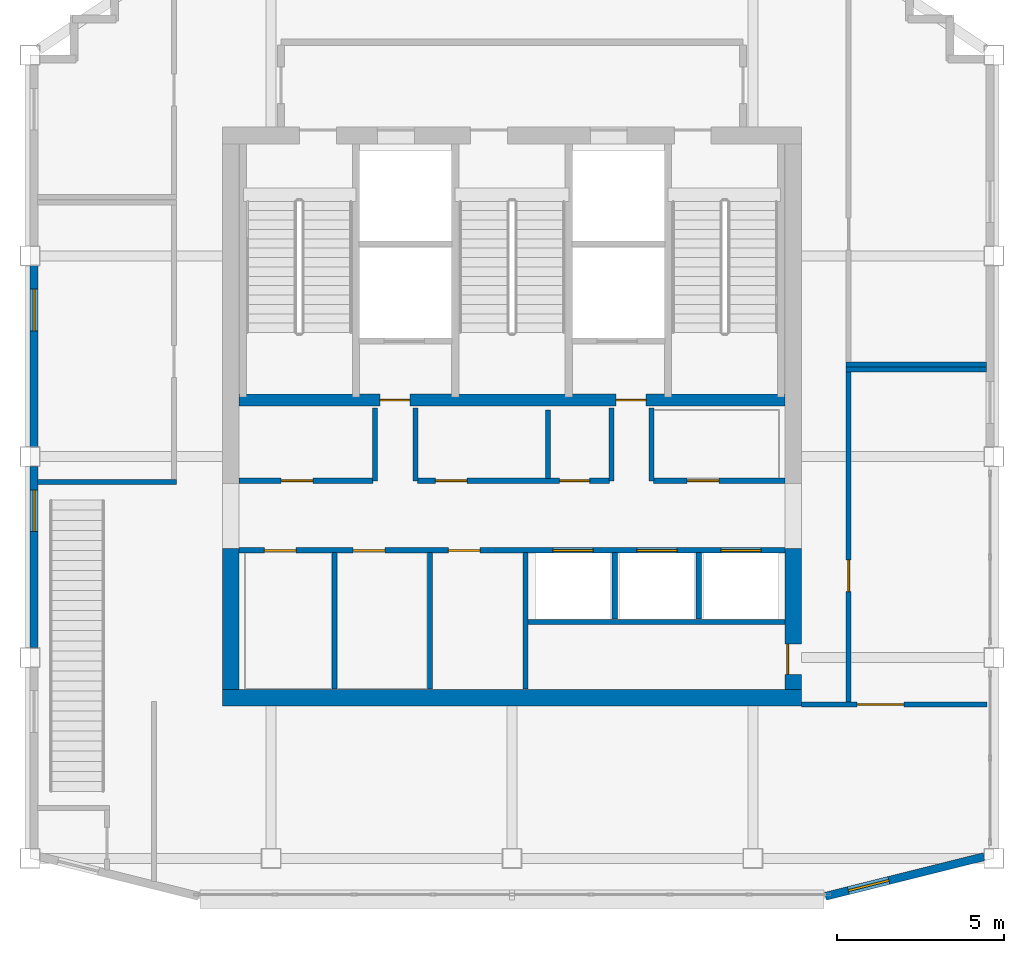
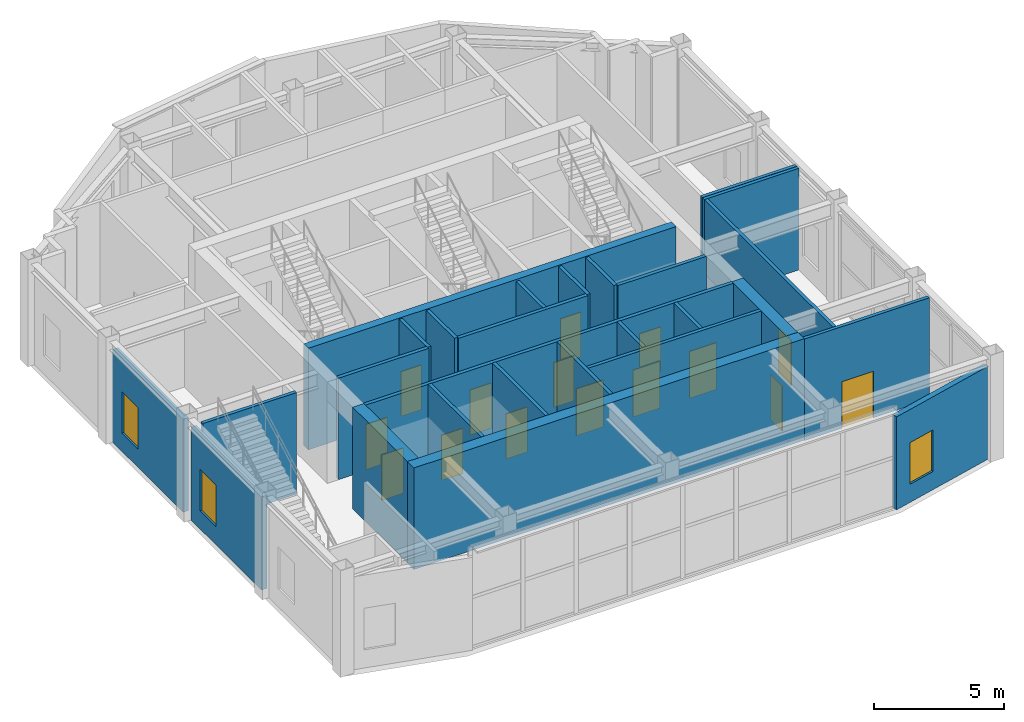
# One storey, part 7 of 11: 27 walls, 15 doors, 3 windows, 18 openings.
"""IFC4 building model written with IfcOpenShell, lengths in metres."""

from ifc_helpers import new_model, si_unit, direction, frame, frame_2d, origin, place, context, subcontext, project, spatial, rectangle, extrude, material, layer, layer_set, type_object, element, fill, save


model = new_model("IFC4")

# Units and contexts
model_context = context("Model", 3, precision=1e-05, world=origin(), true_north=direction((0.0, 1.0)))
body_context = subcontext(model_context, "Body", "Model", "MODEL_VIEW")
ifc_project = project(units=[si_unit("LENGTHUNIT", "METRE"), si_unit("AREAUNIT", "SQUARE_METRE"), si_unit("VOLUMEUNIT", "CUBIC_METRE"), si_unit("PLANEANGLEUNIT", "RADIAN"), si_unit("MASSUNIT", "GRAM", prefix="KILO")], contexts=[model_context])

# Site, building, storey
site_placement = place(None, origin())
site = spatial("IfcSite", under=ifc_project, at=site_placement, CompositionType="ELEMENT")
building_placement = place(site_placement, origin())
building = spatial("IfcBuilding", under=site, at=building_placement, Name="Haolan Belvedere Tower", CompositionType="ELEMENT")
storey_placement = place(building_placement, frame((0.0, 0.0, 318.199951171875)))
storey = spatial("IfcBuildingStorey", under=building, at=storey_placement, Name="L80", CompositionType="ELEMENT", Elevation=318.199951171875)

# Walls
ifc_material_1 = material(Name="Concrete C50/60", Category="concrete")
ifc_layer_1 = layer(ifc_material_1, 0.5, Name="Concrete C50/60")
ifc_layer_set_1 = layer_set([ifc_layer_1], Name="Concrete C50/60")
wall_type_1 = type_object("IfcWallType", Name="WL-CORE-500", PredefinedType="SHEAR", material=ifc_layer_set_1)
wall_1_placement = place(storey_placement, frame((29.75, 26.39990234375, 0.0), z_axis=(0.0, 0.0, 1.0), x_axis=(1.0, 0.0, 0.0)))
element("IfcWall", 1, at=wall_1_placement, inside=storey, type_object=wall_type_1, Name="L80 central core south shear wall", PredefinedType="SHEAR", context=body_context, shape_type="SweptSolid", body=[
    extrude(rectangle(XDim=17.300048828125, YDim=0.5, at=frame_2d((8.64990234375, 0.0))), origin(), (0.0, 0.0, 1.0), 4.760009765625),
])
wall_2_placement = place(storey_placement, frame((30.0, 26.64990234375, 0.0), z_axis=(0.0, 0.0, 1.0), x_axis=(0.0, 1.0, 0.0)))
element("IfcWall", 2, at=wall_2_placement, inside=storey, type_object=wall_type_1, Name="L80 central core shear wall WS", PredefinedType="SHEAR", context=body_context, shape_type="SweptSolid", body=[
    extrude(rectangle(XDim=4.2001953125, YDim=0.5, at=frame_2d((2.10009765625, 0.0))), origin(), (0.0, 0.0, 1.0), 4.760009765625),
])

# Wall, opening, door
wall_3_placement = place(storey_placement, frame((46.800048828125, 26.64990234375, 0.0), z_axis=(0.0, 0.0, 1.0), x_axis=(0.0, 1.0, 0.0)))
wall_3 = element("IfcWall", 3, at=wall_3_placement, inside=storey, type_object=wall_type_1, Name="L80 central core shear wall ES", PredefinedType="SHEAR", context=body_context, shape_type="SweptSolid", body=[
    extrude(rectangle(XDim=4.2001953125, YDim=0.5, at=frame_2d((2.10009765625, 0.0))), origin(), (0.0, 0.0, 1.0), 4.760009765625),
])
opening_1_placement = place(wall_3_placement, frame((1.349853515625, 0.0, 0.0), z_axis=(0.0, 0.0, 1.0), x_axis=(-1.0, 0.0, 0.0)))
opening_1 = element("IfcOpeningElement", 4, at=opening_1_placement, cuts=wall_3, Name="Opening FD-05", PredefinedType="OPENING", context=body_context, shape_type="SweptSolid", body=[
    extrude(rectangle(XDim=0.89990234375, YDim=2.10009765625, at=frame_2d((0.449951171875, 1.050048828125))), frame((0.0, 0.260009765625, 0.0), z_axis=(0.0, -1.0, 0.0), x_axis=(1.0, 0.0, 0.0)), (0.0, 0.0, 1.0), 0.52001953125),
])
ifc_material_2 = material(Name="Galvanised fire-rated steel", Category="steel")
door_type_1 = type_object("IfcDoorType", Name="DR-FD60-900", OperationType="NOTDEFINED", PredefinedType="DOOR", material=ifc_material_2)
door_1_placement = place(opening_1_placement, origin())
door_1 = element("IfcDoor", 5, at=door_1_placement, inside=storey, type_object=door_type_1, Name="L80 door CD-L80-SCVE", OperationType="SINGLE_SWING_RIGHT", OverallHeight=2.10009765625, OverallWidth=0.89990234375, PredefinedType="DOOR", context=body_context, shape_type="SweptSolid", body=[
    extrude(rectangle(XDim=0.89990234375, YDim=2.10009765625, at=frame_2d((0.449951171875, 1.050048828125))), frame((0.0, -0.134765625, 0.0), z_axis=(0.0, -1.0, 0.0), x_axis=(1.0, 0.0, 0.0)), (0.0, 0.0, 1.0), 0.050048828125),
])
fill(opening_1, door_1)

# Wall, opening, window
ifc_material_3 = material(Name="Precast concrete C40/50", Category="concrete")
ifc_layer_2 = layer(ifc_material_3, 0.239990234375, Name="Precast concrete C40/50")
ifc_layer_set_2 = layer_set([ifc_layer_2], Name="Precast concrete C40/50")
wall_type_2 = type_object("IfcWallType", Name="WL-EXT-240", PredefinedType="SOLIDWALL", material=ifc_layer_set_2)
wall_4_placement = place(storey_placement, frame((47.766845703125, 20.46533203125, 0.0), z_axis=(0.0, 0.0, 1.0), x_axis=(0.970142500145, 0.242535625036, 0.0)))
wall_4 = element("IfcWall", 6, at=wall_4_placement, inside=storey, type_object=wall_type_2, Name="L80 pale-metal exterior spandrel wall 2.1", PredefinedType="SOLIDWALL", context=body_context, shape_type="SweptSolid", body=[
    extrude(rectangle(XDim=4.88720703125, YDim=0.239990234375, at=frame_2d((2.443603515625, 0.0))), origin(), (0.0, 0.0, 1.0), 4.35498046875),
])
opening_2_placement = place(wall_4_placement, frame((0.699951171875, 0.0, 0.85009765625)))
opening_2 = element("IfcOpeningElement", 7, at=opening_2_placement, cuts=wall_4, Name="Opening W-04", PredefinedType="OPENING", context=body_context, shape_type="SweptSolid", body=[
    extrude(rectangle(XDim=1.25, YDim=1.949951171875, at=frame_2d((0.625, 0.97509765625))), frame((0.0, 0.1298828125, 0.0), z_axis=(0.0, -1.0, 0.0), x_axis=(1.0, 0.0, 0.0)), (0.0, 0.0, 1.0), 0.260009765625),
])
ifc_material_4 = material(Name="Anodised aluminium 6063-T6 and Low-E glass", Category="aluminium")
window_type = type_object("IfcWindowType", Name="WN-DECO-Z4", PartitioningType="SINGLE_PANEL", PredefinedType="WINDOW", material=ifc_material_4)
window_1_placement = place(opening_2_placement, origin())
window_1 = element("IfcWindow", 8, at=window_1_placement, inside=storey, type_object=window_type, Name="L80 Art Deco chevron window 1", OverallHeight=1.949951171875, OverallWidth=1.25, PartitioningType="SINGLE_PANEL", PredefinedType="WINDOW", context=body_context, shape_type="SweptSolid", body=[
    extrude(rectangle(XDim=1.25, YDim=1.949951171875, at=frame_2d((0.625, 0.97509765625))), frame((0.0, 0.030029296875, 0.0), z_axis=(0.0, -1.0, 0.0), x_axis=(1.0, 0.0, 0.0)), (0.0, 0.0, 1.0), 0.06005859375),
])
fill(opening_2, window_1)

wall_5_placement = place(storey_placement, frame((24.1201171875, 39.30810546875, 0.0), z_axis=(0.0, 0.0, 1.0), x_axis=(0.0, -1.0, 0.0)))
wall_5 = element("IfcWall", 9, at=wall_5_placement, inside=storey, type_object=wall_type_2, Name="L80 pale-metal exterior spandrel wall 16.2", PredefinedType="SOLIDWALL", context=body_context, shape_type="SweptSolid", body=[
    extrude(rectangle(XDim=5.416015625, YDim=0.239990234375, at=frame_2d((2.7080078125, 0.0))), origin(), (0.0, 0.0, 1.0), 4.35498046875),
])
opening_3_placement = place(wall_5_placement, frame((0.699951171875, 0.0, 0.85009765625)))
opening_3 = element("IfcOpeningElement", 10, at=opening_3_placement, cuts=wall_5, Name="Opening W-04", PredefinedType="OPENING", context=body_context, shape_type="SweptSolid", body=[
    extrude(rectangle(XDim=1.25, YDim=1.949951171875, at=frame_2d((0.625, 0.97509765625))), frame((0.0, 0.1298828125, 0.0), z_axis=(0.0, -1.0, 0.0), x_axis=(1.0, 0.0, 0.0)), (0.0, 0.0, 1.0), 0.260009765625),
])
window_2_placement = place(opening_3_placement, origin())
window_2 = element("IfcWindow", 11, at=window_2_placement, inside=storey, type_object=window_type, Name="L80 Art Deco chevron window 1", OverallHeight=1.949951171875, OverallWidth=1.25, PartitioningType="SINGLE_PANEL", PredefinedType="WINDOW", context=body_context, shape_type="SweptSolid", body=[
    extrude(rectangle(XDim=1.25, YDim=1.949951171875, at=frame_2d((0.625, 0.97509765625))), frame((0.0, 0.030029296875, 0.0), z_axis=(0.0, -1.0, 0.0), x_axis=(1.0, 0.0, 0.0)), (0.0, 0.0, 1.0), 0.06005859375),
])
fill(opening_3, window_2)

wall_6_placement = place(storey_placement, frame((24.1201171875, 33.30810546875, 0.0), z_axis=(0.0, 0.0, 1.0), x_axis=(0.0, -1.0, 0.0)))
wall_6 = element("IfcWall", 12, at=wall_6_placement, inside=storey, type_object=wall_type_2, Name="L80 pale-metal exterior spandrel wall 16.3", PredefinedType="SOLIDWALL", context=body_context, shape_type="SweptSolid", body=[
    extrude(rectangle(XDim=5.416015625, YDim=0.239990234375, at=frame_2d((2.7080078125, 0.0))), origin(), (0.0, 0.0, 1.0), 4.35498046875),
])
opening_4_placement = place(wall_6_placement, frame((0.699951171875, 0.0, 0.85009765625)))
opening_4 = element("IfcOpeningElement", 13, at=opening_4_placement, cuts=wall_6, Name="Opening W-04", PredefinedType="OPENING", context=body_context, shape_type="SweptSolid", body=[
    extrude(rectangle(XDim=1.25, YDim=1.949951171875, at=frame_2d((0.625, 0.97509765625))), frame((0.0, 0.1298828125, 0.0), z_axis=(0.0, -1.0, 0.0), x_axis=(1.0, 0.0, 0.0)), (0.0, 0.0, 1.0), 0.260009765625),
])
window_3_placement = place(opening_4_placement, origin())
window_3 = element("IfcWindow", 14, at=window_3_placement, inside=storey, type_object=window_type, Name="L80 Art Deco chevron window 1", OverallHeight=1.949951171875, OverallWidth=1.25, PartitioningType="SINGLE_PANEL", PredefinedType="WINDOW", context=body_context, shape_type="SweptSolid", body=[
    extrude(rectangle(XDim=1.25, YDim=1.949951171875, at=frame_2d((0.625, 0.97509765625))), frame((0.0, 0.030029296875, 0.0), z_axis=(0.0, -1.0, 0.0), x_axis=(1.0, 0.0, 0.0)), (0.0, 0.0, 1.0), 0.06005859375),
])
fill(opening_4, window_3)

# Walls
ifc_material_5 = material(Name="Double gypsum acoustic stud partition", Category="masonry")
ifc_layer_3 = layer(ifc_material_5, 0.14990234375, Name="Double gypsum acoustic stud partition")
ifc_layer_set_3 = layer_set([ifc_layer_3], Name="Double gypsum acoustic stud partition")
wall_type_3 = type_object("IfcWallType", Name="WL-PART-150", PredefinedType="PARTITIONING", material=ifc_layer_set_3)
for number, where, z_axis, x_axis, name in (
    (15, (33.10009765625, 26.659912109375, 0.0), (0.0, 0.0, 1.0), (0.0, 1.0, 0.0), "L80 interior partition IW-L80-DIV-REUSE-PM1"),
    (16, (35.949951171875, 26.659912109375, 0.0), (0.0, 0.0, 1.0), (0.0, 1.0, 0.0), "L80 interior partition IW-L80-DIV-REUSE-PM2"),
):
    element("IfcWall", number, at=place(storey_placement, frame(where, z_axis=z_axis, x_axis=x_axis)), inside=storey, type_object=wall_type_3, Name=name, PredefinedType="PARTITIONING", context=body_context, shape_type="SweptSolid", body=[
        extrude(rectangle(XDim=4.0751953125, YDim=0.14990234375, at=frame_2d((2.03759765625, 0.0))), origin(), (0.0, 0.0, 1.0), 4.760009765625),
    ])
wall_7_placement = place(storey_placement, frame((38.860107421875, 28.659912109375, 0.0), z_axis=(0.0, 0.0, 1.0), x_axis=(1.0, 0.0, 0.0)))
element("IfcWall", 17, at=wall_7_placement, inside=storey, type_object=wall_type_3, Name="L80 interior partition IW-L80-SSTRIP-E", PredefinedType="PARTITIONING", context=body_context, shape_type="SweptSolid", body=[
    extrude(rectangle(XDim=7.68994140625, YDim=0.14990234375, at=frame_2d((3.844970703125, 0.0))), origin(), (0.0, 0.0, 1.0), 4.760009765625),
])

# Wall, opening, door
wall_8_placement = place(storey_placement, frame((47.052001953125, 26.199951171875, 0.0), z_axis=(0.0, 0.0, 1.0), x_axis=(1.0, 0.0, 0.0)))
wall_8 = element("IfcWall", 18, at=wall_8_placement, inside=storey, type_object=wall_type_3, Name="L80 interior partition IW-L80-OBSG-N", PredefinedType="PARTITIONING", context=body_context, shape_type="SweptSolid", body=[
    extrude(rectangle(XDim=5.535888671875, YDim=0.14990234375, at=frame_2d((2.76806640625, 0.0))), origin(), (0.0, 0.0, 1.0), 4.760009765625),
])
opening_5_placement = place(wall_8_placement, frame((3.05908203125, 0.0, 0.0), z_axis=(0.0, 0.0, 1.0), x_axis=(-1.0, 0.0, 0.0)))
opening_5 = element("IfcOpeningElement", 19, at=opening_5_placement, cuts=wall_8, Name="Opening ID-07", PredefinedType="OPENING", context=body_context, shape_type="SweptSolid", body=[
    extrude(rectangle(XDim=1.39990234375, YDim=2.179931640625, at=frame_2d((0.699951171875, 1.08984375))), frame((0.0, 0.0849609375, 0.0), z_axis=(0.0, -1.0, 0.0), x_axis=(1.0, 0.0, 0.0)), (0.0, 0.0, 1.0), 0.169921875),
])
ifc_material_6 = material(Name="Anodised champagne aluminium and acoustic glass", Category="aluminium")
door_type_2 = type_object("IfcDoorType", Name="DR-DBL-1400", OperationType="DOUBLE_DOOR_SINGLE_SWING", PredefinedType="DOOR", material=ifc_material_6)
door_2_placement = place(opening_5_placement, origin())
door_2 = element("IfcDoor", 20, at=door_2_placement, inside=storey, type_object=door_type_2, Name="L80 door ID-L80-OBSG", OperationType="DOUBLE_DOOR_SINGLE_SWING", OverallHeight=2.179931640625, OverallWidth=1.39990234375, PredefinedType="DOOR", context=body_context, shape_type="SweptSolid", body=[
    extrude(rectangle(XDim=1.39990234375, YDim=2.179931640625, at=frame_2d((0.699951171875, 1.08984375))), frame((0.0, 0.02490234375, 0.0), z_axis=(0.0, -1.0, 0.0), x_axis=(1.0, 0.0, 0.0)), (0.0, 0.0, 1.0), 0.050048828125),
])
fill(opening_5, door_2)

# Walls
wall_9_placement = place(storey_placement, frame((24.22509765625, 32.85009765625, 0.0), z_axis=(0.0, 0.0, 1.0), x_axis=(1.0, 0.0, 0.0)))
element("IfcWall", 21, at=wall_9_placement, inside=storey, type_object=wall_type_3, Name="L80 interior partition IW-L80-EXHB-S", PredefinedType="PARTITIONING", context=body_context, shape_type="SweptSolid", body=[
    extrude(rectangle(XDim=4.15478515625, YDim=0.14990234375, at=frame_2d((2.077392578125, 0.0))), origin(), (0.0, 0.0, 1.0), 4.760009765625),
])
wall_10_placement = place(storey_placement, frame((48.3798828125, 36.199951171875, 0.0), z_axis=(0.0, 0.0, 1.0), x_axis=(1.0, 0.0, 0.0)))
element("IfcWall", 22, at=wall_10_placement, inside=storey, type_object=wall_type_3, Name="L80 interior partition IW-L80-GIFT-N", PredefinedType="PARTITIONING", context=body_context, shape_type="SweptSolid", body=[
    extrude(rectangle(XDim=4.195068359375, YDim=0.14990234375, at=frame_2d((2.09765625, 0.0))), origin(), (0.0, 0.0, 1.0), 4.760009765625),
])

# Wall, opening, door
wall_11_placement = place(storey_placement, frame((48.4599609375, 26.260009765625, 0.0), z_axis=(0.0, 0.0, 1.0), x_axis=(0.0, 1.0, 0.0)))
wall_11 = element("IfcWall", 23, at=wall_11_placement, inside=storey, type_object=wall_type_3, Name="L80 interior partition IW-L80-GIFT-W", PredefinedType="PARTITIONING", context=body_context, shape_type="SweptSolid", body=[
    extrude(rectangle(XDim=9.8798828125, YDim=0.14990234375, at=frame_2d((4.93994140625, 0.0))), origin(), (0.0, 0.0, 1.0), 4.760009765625),
])
opening_6_placement = place(wall_11_placement, frame((3.31005859375, 0.0, 0.0)))
opening_6 = element("IfcOpeningElement", 24, at=opening_6_placement, cuts=wall_11, Name="Opening ID-03", PredefinedType="OPENING", context=body_context, shape_type="SweptSolid", body=[
    extrude(rectangle(XDim=0.949951171875, YDim=2.1201171875, at=frame_2d((0.47509765625, 1.06005859375))), frame((0.0, 0.0849609375, 0.0), z_axis=(0.0, -1.0, 0.0), x_axis=(1.0, 0.0, 0.0)), (0.0, 0.0, 1.0), 0.169921875),
])
ifc_material_7 = material(Name="Painted solid-core timber", Category="wood")
door_type_3 = type_object("IfcDoorType", Name="DR-INT-950", OperationType="NOTDEFINED", PredefinedType="DOOR", material=ifc_material_7)
door_3_placement = place(opening_6_placement, origin())
door_3 = element("IfcDoor", 25, at=door_3_placement, inside=storey, type_object=door_type_3, Name="L80 door ID-L80-GIFT", OperationType="SINGLE_SWING_LEFT", OverallHeight=2.1201171875, OverallWidth=0.949951171875, PredefinedType="DOOR", context=body_context, shape_type="SweptSolid", body=[
    extrude(rectangle(XDim=0.949951171875, YDim=2.1201171875, at=frame_2d((0.47509765625, 1.06005859375))), frame((0.0, 0.02490234375, 0.0), z_axis=(0.0, -1.0, 0.0), x_axis=(1.0, 0.0, 0.0)), (0.0, 0.0, 1.0), 0.050048828125),
])
fill(opening_6, door_3)

# Walls
wall_12_placement = place(storey_placement, frame((48.3798828125, 36.360107421875, 0.0), z_axis=(0.0, 0.0, 1.0), x_axis=(1.0, 0.0, 0.0)))
element("IfcWall", 26, at=wall_12_placement, inside=storey, type_object=wall_type_3, Name="L80 interior partition IW-L80-CAFE-S", PredefinedType="PARTITIONING", context=body_context, shape_type="SweptSolid", body=[
    extrude(rectangle(XDim=4.195068359375, YDim=0.14990234375, at=frame_2d((2.09765625, 0.0))), origin(), (0.0, 0.0, 1.0), 4.760009765625),
])
ifc_material_8 = material(Name="Gypsum fire shaftwall assembly", Category="masonry")
ifc_layer_4 = layer(ifc_material_8, 0.1650390625, Name="Gypsum fire shaftwall assembly")
ifc_layer_set_4 = layer_set([ifc_layer_4], Name="Gypsum fire shaftwall assembly")
wall_type_4 = type_object("IfcWallType", Name="WL-SHAFT-160", PredefinedType="SOLIDWALL", material=ifc_layer_set_4)
for number, where, z_axis, x_axis, name in (
    (27, (34.31005859375, 32.8798828125, 0.0), (0.0, 0.0, 1.0), (0.0, 1.0, 0.0), "L80 interior partition IW-L80-SVP-W-SV1"),
    (28, (35.510009765625, 32.8798828125, 0.0), (0.0, 0.0, 1.0), (0.0, 1.0, 0.0), "L80 interior partition IW-L80-SVP-E-SV1"),
    (29, (41.3701171875, 32.8798828125, 0.0), (0.0, 0.0, 1.0), (0.0, 1.0, 0.0), "L80 interior partition IW-L80-SVP-W-SV2"),
    (30, (42.570068359375, 32.8798828125, 0.0), (0.0, 0.0, 1.0), (0.0, 1.0, 0.0), "L80 interior partition IW-L80-SVP-E-SV2"),
):
    element("IfcWall", number, at=place(storey_placement, frame(where, z_axis=z_axis, x_axis=x_axis)), inside=storey, type_object=wall_type_4, Name=name, PredefinedType="SOLIDWALL", context=body_context, shape_type="SweptSolid", body=[
        extrude(rectangle(XDim=2.170166015625, YDim=0.14990234375, at=frame_2d((1.0849609375, 0.0))), origin(), (0.0, 0.0, 1.0), 4.760009765625),
    ])

# Wall, opening, door
wall_13_placement = place(storey_placement, frame((30.25, 32.8798828125, 0.0), z_axis=(0.0, 0.0, 1.0), x_axis=(1.0, 0.0, 0.0)))
wall_13 = element("IfcWall", 31, at=wall_13_placement, inside=storey, type_object=wall_type_4, Name="L80 interior partition IW-L80-ROW-PN1", PredefinedType="SOLIDWALL", context=body_context, shape_type="SweptSolid", body=[
    extrude(rectangle(XDim=4.0, YDim=0.159912109375, at=frame_2d((2.0, 0.0))), origin(), (0.0, 0.0, 1.0), 4.760009765625),
])
opening_7_placement = place(wall_13_placement, frame((2.199951171875, 0.0, 0.0), z_axis=(0.0, 0.0, 1.0), x_axis=(-1.0, 0.0, 0.0)))
opening_7 = element("IfcOpeningElement", 32, at=opening_7_placement, cuts=wall_13, Name="Opening ID-03", PredefinedType="OPENING", context=body_context, shape_type="SweptSolid", body=[
    extrude(rectangle(XDim=0.949951171875, YDim=2.1201171875, at=frame_2d((0.47509765625, 1.06005859375))), frame((0.0, 0.08984375, 0.0), z_axis=(0.0, -1.0, 0.0), x_axis=(1.0, 0.0, 0.0)), (0.0, 0.0, 1.0), 0.179931640625),
])
door_4_placement = place(opening_7_placement, origin())
door_4 = element("IfcDoor", 33, at=door_4_placement, inside=storey, type_object=door_type_3, Name="L80 door ID-L80-CD-RPLW", OperationType="SINGLE_SWING_LEFT", OverallHeight=2.1201171875, OverallWidth=0.949951171875, PredefinedType="DOOR", context=body_context, shape_type="SweptSolid", body=[
    extrude(rectangle(XDim=0.949951171875, YDim=2.1201171875, at=frame_2d((0.47509765625, 1.06005859375))), frame((0.0, 0.02490234375, 0.0), z_axis=(0.0, -1.0, 0.0), x_axis=(1.0, 0.0, 0.0)), (0.0, 0.0, 1.0), 0.050048828125),
])
fill(opening_7, door_4)

# Wall, openings, doors
wall_14_placement = place(storey_placement, frame((35.570068359375, 32.8798828125, 0.0), z_axis=(0.0, 0.0, 1.0), x_axis=(1.0, 0.0, 0.0)))
wall_14 = element("IfcWall", 34, at=wall_14_placement, inside=storey, type_object=wall_type_4, Name="L80 interior partition IW-L80-ROW-PN2", PredefinedType="SOLIDWALL", context=body_context, shape_type="SweptSolid", body=[
    extrude(rectangle(XDim=5.739990234375, YDim=0.159912109375, at=frame_2d((2.8701171875, 0.0))), origin(), (0.0, 0.0, 1.0), 4.760009765625),
])
opening_8_placement = place(wall_14_placement, frame((1.489990234375, 0.0, 0.0), z_axis=(0.0, 0.0, 1.0), x_axis=(-1.0, 0.0, 0.0)))
opening_8 = element("IfcOpeningElement", 35, at=opening_8_placement, cuts=wall_14, Name="Opening ID-03", PredefinedType="OPENING", context=body_context, shape_type="SweptSolid", body=[
    extrude(rectangle(XDim=0.949951171875, YDim=2.1201171875, at=frame_2d((0.47509765625, 1.06005859375))), frame((0.0, 0.08984375, 0.0), z_axis=(0.0, -1.0, 0.0), x_axis=(1.0, 0.0, 0.0)), (0.0, 0.0, 1.0), 0.179931640625),
])
opening_9_placement = place(wall_14_placement, frame((5.14990234375, 0.0, 0.0), z_axis=(0.0, 0.0, 1.0), x_axis=(-1.0, 0.0, 0.0)))
opening_9 = element("IfcOpeningElement", 36, at=opening_9_placement, cuts=wall_14, Name="Opening FD-05", PredefinedType="OPENING", context=body_context, shape_type="SweptSolid", body=[
    extrude(rectangle(XDim=0.89990234375, YDim=2.10009765625, at=frame_2d((0.449951171875, 1.050048828125))), frame((0.0, 0.08984375, 0.0), z_axis=(0.0, -1.0, 0.0), x_axis=(1.0, 0.0, 0.0)), (0.0, 0.0, 1.0), 0.179931640625),
])
door_5_placement = place(opening_9_placement, origin())
door_5 = element("IfcDoor", 37, at=door_5_placement, inside=storey, type_object=door_type_1, Name="L80 door ID-L80-CD-RPH1", OperationType="SINGLE_SWING_RIGHT", OverallHeight=2.10009765625, OverallWidth=0.89990234375, PredefinedType="DOOR", context=body_context, shape_type="SweptSolid", body=[
    extrude(rectangle(XDim=0.89990234375, YDim=2.10009765625, at=frame_2d((0.449951171875, 1.050048828125))), frame((0.0, 0.02490234375, 0.0), z_axis=(0.0, -1.0, 0.0), x_axis=(1.0, 0.0, 0.0)), (0.0, 0.0, 1.0), 0.050048828125),
])
fill(opening_9, door_5)
door_6_placement = place(opening_8_placement, origin())
door_6 = element("IfcDoor", 38, at=door_6_placement, inside=storey, type_object=door_type_3, Name="L80 door ID-L80-CD-RPLE", OperationType="SINGLE_SWING_RIGHT", OverallHeight=2.1201171875, OverallWidth=0.949951171875, PredefinedType="DOOR", context=body_context, shape_type="SweptSolid", body=[
    extrude(rectangle(XDim=0.949951171875, YDim=2.1201171875, at=frame_2d((0.47509765625, 1.06005859375))), frame((0.0, 0.02490234375, 0.0), z_axis=(0.0, -1.0, 0.0), x_axis=(1.0, 0.0, 0.0)), (0.0, 0.0, 1.0), 0.050048828125),
])
fill(opening_8, door_6)

# Wall, opening, door
wall_15_placement = place(storey_placement, frame((42.6298828125, 32.8798828125, 0.0), z_axis=(0.0, 0.0, 1.0), x_axis=(1.0, 0.0, 0.0)))
wall_15 = element("IfcWall", 39, at=wall_15_placement, inside=storey, type_object=wall_type_4, Name="L80 interior partition IW-L80-ROW-PN3", PredefinedType="SOLIDWALL", context=body_context, shape_type="SweptSolid", body=[
    extrude(rectangle(XDim=3.920166015625, YDim=0.159912109375, at=frame_2d((1.9599609375, 0.0))), origin(), (0.0, 0.0, 1.0), 4.760009765625),
])
opening_10_placement = place(wall_15_placement, frame((1.949951171875, 0.0, 0.0), z_axis=(0.0, 0.0, 1.0), x_axis=(-1.0, 0.0, 0.0)))
opening_10 = element("IfcOpeningElement", 40, at=opening_10_placement, cuts=wall_15, Name="Opening ID-03", PredefinedType="OPENING", context=body_context, shape_type="SweptSolid", body=[
    extrude(rectangle(XDim=0.949951171875, YDim=2.1201171875, at=frame_2d((0.47509765625, 1.06005859375))), frame((0.0, 0.08984375, 0.0), z_axis=(0.0, -1.0, 0.0), x_axis=(1.0, 0.0, 0.0)), (0.0, 0.0, 1.0), 0.179931640625),
])
door_7_placement = place(opening_10_placement, origin())
door_7 = element("IfcDoor", 41, at=door_7_placement, inside=storey, type_object=door_type_3, Name="L80 door ID-L80-CD-RPH23", OperationType="SINGLE_SWING_LEFT", OverallHeight=2.1201171875, OverallWidth=0.949951171875, PredefinedType="DOOR", context=body_context, shape_type="SweptSolid", body=[
    extrude(rectangle(XDim=0.949951171875, YDim=2.1201171875, at=frame_2d((0.47509765625, 1.06005859375))), frame((0.0, 0.02490234375, 0.0), z_axis=(0.0, -1.0, 0.0), x_axis=(1.0, 0.0, 0.0)), (0.0, 0.0, 1.0), 0.050048828125),
])
fill(opening_10, door_7)

# Wall
wall_16_placement = place(storey_placement, frame((39.469970703125, 32.949951171875, 0.0), z_axis=(0.0, 0.0, 1.0), x_axis=(0.0, 1.0, 0.0)))
element("IfcWall", 42, at=wall_16_placement, inside=storey, type_object=wall_type_4, Name="L80 interior partition IW-L80-DIV-PL4R", PredefinedType="SOLIDWALL", context=body_context, shape_type="SweptSolid", body=[
    extrude(rectangle(XDim=2.050048828125, YDim=0.14990234375, at=frame_2d((1.02490234375, 0.0))), origin(), (0.0, 0.0, 1.0), 4.760009765625),
])

# Wall, openings, doors
wall_17_placement = place(storey_placement, frame((30.25, 30.800048828125, 0.0), z_axis=(0.0, 0.0, 1.0), x_axis=(1.0, 0.0, 0.0)))
wall_17 = element("IfcWall", 43, at=wall_17_placement, inside=storey, type_object=wall_type_4, Name="L80 interior partition IW-L80-ROW-PS", PredefinedType="SOLIDWALL", context=body_context, shape_type="SweptSolid", body=[
    extrude(rectangle(XDim=16.300048828125, YDim=0.159912109375, at=frame_2d((8.14990234375, 0.0))), origin(), (0.0, 0.0, 1.0), 4.760009765625),
])
opening_11_placement = place(wall_17_placement, frame((0.75, 0.0, 0.0)))
opening_11 = element("IfcOpeningElement", 44, at=opening_11_placement, cuts=wall_17, Name="Opening ID-03", PredefinedType="OPENING", context=body_context, shape_type="SweptSolid", body=[
    extrude(rectangle(XDim=0.949951171875, YDim=2.1201171875, at=frame_2d((0.47509765625, 1.06005859375))), frame((0.0, 0.08984375, 0.0), z_axis=(0.0, -1.0, 0.0), x_axis=(1.0, 0.0, 0.0)), (0.0, 0.0, 1.0), 0.179931640625),
])
opening_12_placement = place(wall_17_placement, frame((3.39990234375, 0.0, 0.0)))
opening_12 = element("IfcOpeningElement", 45, at=opening_12_placement, cuts=wall_17, Name="Opening ID-03", PredefinedType="OPENING", context=body_context, shape_type="SweptSolid", body=[
    extrude(rectangle(XDim=0.949951171875, YDim=2.1201171875, at=frame_2d((0.47509765625, 1.06005859375))), frame((0.0, 0.08984375, 0.0), z_axis=(0.0, -1.0, 0.0), x_axis=(1.0, 0.0, 0.0)), (0.0, 0.0, 1.0), 0.179931640625),
])
opening_13_placement = place(wall_17_placement, frame((6.25, 0.0, 0.0)))
opening_13 = element("IfcOpeningElement", 46, at=opening_13_placement, cuts=wall_17, Name="Opening ID-03", PredefinedType="OPENING", context=body_context, shape_type="SweptSolid", body=[
    extrude(rectangle(XDim=0.949951171875, YDim=2.1201171875, at=frame_2d((0.47509765625, 1.06005859375))), frame((0.0, 0.08984375, 0.0), z_axis=(0.0, -1.0, 0.0), x_axis=(1.0, 0.0, 0.0)), (0.0, 0.0, 1.0), 0.179931640625),
])
opening_14_placement = place(wall_17_placement, frame((9.3701171875, 0.0, 0.0)))
opening_14 = element("IfcOpeningElement", 47, at=opening_14_placement, cuts=wall_17, Name="Opening LD-02", PredefinedType="OPENING", context=body_context, shape_type="SweptSolid", body=[
    extrude(rectangle(XDim=1.199951171875, YDim=2.199951171875, at=frame_2d((0.60009765625, 1.10009765625))), frame((0.0, 0.08984375, 0.0), z_axis=(0.0, -1.0, 0.0), x_axis=(1.0, 0.0, 0.0)), (0.0, 0.0, 1.0), 0.179931640625),
])
opening_15_placement = place(wall_17_placement, frame((11.8798828125, 0.0, 0.0)))
opening_15 = element("IfcOpeningElement", 48, at=opening_15_placement, cuts=wall_17, Name="Opening LD-02", PredefinedType="OPENING", context=body_context, shape_type="SweptSolid", body=[
    extrude(rectangle(XDim=1.199951171875, YDim=2.199951171875, at=frame_2d((0.60009765625, 1.10009765625))), frame((0.0, 0.08984375, 0.0), z_axis=(0.0, -1.0, 0.0), x_axis=(1.0, 0.0, 0.0)), (0.0, 0.0, 1.0), 0.179931640625),
])
opening_16_placement = place(wall_17_placement, frame((14.389892578125, 0.0, 0.0)))
opening_16 = element("IfcOpeningElement", 49, at=opening_16_placement, cuts=wall_17, Name="Opening LD-02", PredefinedType="OPENING", context=body_context, shape_type="SweptSolid", body=[
    extrude(rectangle(XDim=1.199951171875, YDim=2.199951171875, at=frame_2d((0.60009765625, 1.10009765625))), frame((0.0, 0.08984375, 0.0), z_axis=(0.0, -1.0, 0.0), x_axis=(1.0, 0.0, 0.0)), (0.0, 0.0, 1.0), 0.179931640625),
])
door_8_placement = place(opening_11_placement, origin())
door_8 = element("IfcDoor", 50, at=door_8_placement, inside=storey, type_object=door_type_3, Name="L80 door ID-L80-CD-RPMA", OperationType="SINGLE_SWING_LEFT", OverallHeight=2.1201171875, OverallWidth=0.949951171875, PredefinedType="DOOR", context=body_context, shape_type="SweptSolid", body=[
    extrude(rectangle(XDim=0.949951171875, YDim=2.1201171875, at=frame_2d((0.47509765625, 1.06005859375))), frame((0.0, 0.02490234375, 0.0), z_axis=(0.0, -1.0, 0.0), x_axis=(1.0, 0.0, 0.0)), (0.0, 0.0, 1.0), 0.050048828125),
])
fill(opening_11, door_8)
door_9_placement = place(opening_12_placement, origin())
door_9 = element("IfcDoor", 51, at=door_9_placement, inside=storey, type_object=door_type_3, Name="L80 door ID-L80-CD-RPMB", OperationType="SINGLE_SWING_RIGHT", OverallHeight=2.1201171875, OverallWidth=0.949951171875, PredefinedType="DOOR", context=body_context, shape_type="SweptSolid", body=[
    extrude(rectangle(XDim=0.949951171875, YDim=2.1201171875, at=frame_2d((0.47509765625, 1.06005859375))), frame((0.0, 0.02490234375, 0.0), z_axis=(0.0, -1.0, 0.0), x_axis=(1.0, 0.0, 0.0)), (0.0, 0.0, 1.0), 0.050048828125),
])
fill(opening_12, door_9)
door_10_placement = place(opening_13_placement, origin())
door_10 = element("IfcDoor", 52, at=door_10_placement, inside=storey, type_object=door_type_3, Name="L80 door ID-L80-CD-RPMC", OperationType="SINGLE_SWING_LEFT", OverallHeight=2.1201171875, OverallWidth=0.949951171875, PredefinedType="DOOR", context=body_context, shape_type="SweptSolid", body=[
    extrude(rectangle(XDim=0.949951171875, YDim=2.1201171875, at=frame_2d((0.47509765625, 1.06005859375))), frame((0.0, 0.02490234375, 0.0), z_axis=(0.0, -1.0, 0.0), x_axis=(1.0, 0.0, 0.0)), (0.0, 0.0, 1.0), 0.050048828125),
])
fill(opening_13, door_10)
ifc_material_9 = material(Name="Brushed champagne stainless steel 316L", Category="steel")
door_type_4 = type_object("IfcDoorType", Name="DR-LIFT-1200", OperationType="SLIDING_TO_RIGHT", PredefinedType="DOOR", material=ifc_material_9)
door_11_placement = place(opening_14_placement, origin())
door_11 = element("IfcDoor", 53, at=door_11_placement, inside=storey, type_object=door_type_4, Name="L80 door ID-L80-LD-OB1", OperationType="SLIDING_TO_RIGHT", OverallHeight=2.199951171875, OverallWidth=1.199951171875, PredefinedType="DOOR", context=body_context, shape_type="SweptSolid", body=[
    extrude(rectangle(XDim=1.199951171875, YDim=2.199951171875, at=frame_2d((0.60009765625, 1.10009765625))), frame((0.0, 0.02490234375, 0.0), z_axis=(0.0, -1.0, 0.0), x_axis=(1.0, 0.0, 0.0)), (0.0, 0.0, 1.0), 0.050048828125),
])
fill(opening_14, door_11)
door_12_placement = place(opening_15_placement, origin())
door_12 = element("IfcDoor", 54, at=door_12_placement, inside=storey, type_object=door_type_4, Name="L80 door ID-L80-LD-OB2", OperationType="SLIDING_TO_RIGHT", OverallHeight=2.199951171875, OverallWidth=1.199951171875, PredefinedType="DOOR", context=body_context, shape_type="SweptSolid", body=[
    extrude(rectangle(XDim=1.199951171875, YDim=2.199951171875, at=frame_2d((0.60009765625, 1.10009765625))), frame((0.0, 0.02490234375, 0.0), z_axis=(0.0, -1.0, 0.0), x_axis=(1.0, 0.0, 0.0)), (0.0, 0.0, 1.0), 0.050048828125),
])
fill(opening_15, door_12)
door_13_placement = place(opening_16_placement, origin())
door_13 = element("IfcDoor", 55, at=door_13_placement, inside=storey, type_object=door_type_4, Name="L80 door ID-L80-LD-OB3", OperationType="SLIDING_TO_RIGHT", OverallHeight=2.199951171875, OverallWidth=1.199951171875, PredefinedType="DOOR", context=body_context, shape_type="SweptSolid", body=[
    extrude(rectangle(XDim=1.199951171875, YDim=2.199951171875, at=frame_2d((0.60009765625, 1.10009765625))), frame((0.0, 0.02490234375, 0.0), z_axis=(0.0, -1.0, 0.0), x_axis=(1.0, 0.0, 0.0)), (0.0, 0.0, 1.0), 0.050048828125),
])
fill(opening_16, door_13)

# Walls
wall_18_placement = place(storey_placement, frame((38.800048828125, 26.659912109375, 0.0), z_axis=(0.0, 0.0, 1.0), x_axis=(0.0, 1.0, 0.0)))
element("IfcWall", 56, at=wall_18_placement, inside=storey, type_object=wall_type_4, Name="L80 interior partition IW-L80-DIV-PM-OB", PredefinedType="SOLIDWALL", context=body_context, shape_type="SweptSolid", body=[
    extrude(rectangle(XDim=4.0751953125, YDim=0.14990234375, at=frame_2d((2.03759765625, 0.0))), origin(), (0.0, 0.0, 1.0), 4.760009765625),
])
for number, where, z_axis, x_axis, name in (
    (57, (41.469970703125, 28.75, 0.0), (0.0, 0.0, 1.0), (0.0, 1.0, 0.0), "L80 interior partition IW-L80-DIV-OB1"),
    (58, (43.97998046875, 28.75, 0.0), (0.0, 0.0, 1.0), (0.0, 1.0, 0.0), "L80 interior partition IW-L80-DIV-OB2"),
):
    element("IfcWall", number, at=place(storey_placement, frame(where, z_axis=z_axis, x_axis=x_axis)), inside=storey, type_object=wall_type_4, Name=name, PredefinedType="SOLIDWALL", context=body_context, shape_type="SweptSolid", body=[
        extrude(rectangle(XDim=1.985107421875, YDim=0.14990234375, at=frame_2d((0.99267578125, 0.0))), origin(), (0.0, 0.0, 1.0), 4.760009765625),
    ])

# Wall, openings, doors
ifc_material_10 = material(Name="Concrete C60/75", Category="concrete")
ifc_layer_5 = layer(ifc_material_10, 0.360107421875, Name="Concrete C60/75")
ifc_layer_set_5 = layer_set([ifc_layer_5], Name="Concrete C60/75")
wall_type_5 = type_object("IfcWallType", Name="WL-WEB-350", PredefinedType="SHEAR", material=ifc_layer_set_5)
wall_19_placement = place(storey_placement, frame((30.25, 35.2900390625, 0.0), z_axis=(0.0, 0.0, 1.0), x_axis=(1.0, 0.0, 0.0)))
wall_19 = element("IfcWall", 59, at=wall_19_placement, inside=storey, type_object=wall_type_5, Name="L80 central core internal shear web", PredefinedType="SHEAR", context=body_context, shape_type="SweptSolid", body=[
    extrude(rectangle(XDim=16.300048828125, YDim=0.360107421875, at=frame_2d((8.14990234375, 0.0))), origin(), (0.0, 0.0, 1.0), 4.760009765625),
])
opening_17_placement = place(wall_19_placement, frame((5.099853515625, 0.0, 0.0), z_axis=(0.0, 0.0, 1.0), x_axis=(-1.0, 0.0, 0.0)))
opening_17 = element("IfcOpeningElement", 60, at=opening_17_placement, cuts=wall_19, Name="Opening FD-05", PredefinedType="OPENING", context=body_context, shape_type="SweptSolid", body=[
    extrude(rectangle(XDim=0.89990234375, YDim=2.10009765625, at=frame_2d((0.449951171875, 1.050048828125))), frame((0.0, 0.18994140625, 0.0), z_axis=(0.0, -1.0, 0.0), x_axis=(1.0, 0.0, 0.0)), (0.0, 0.0, 1.0), 0.380126953125),
])
opening_18_placement = place(wall_19_placement, frame((12.159912109375, 0.0, 0.0), z_axis=(0.0, 0.0, 1.0), x_axis=(-1.0, 0.0, 0.0)))
opening_18 = element("IfcOpeningElement", 61, at=opening_18_placement, cuts=wall_19, Name="Opening FD-05", PredefinedType="OPENING", context=body_context, shape_type="SweptSolid", body=[
    extrude(rectangle(XDim=0.89990234375, YDim=2.10009765625, at=frame_2d((0.449951171875, 1.050048828125))), frame((0.0, 0.18994140625, 0.0), z_axis=(0.0, -1.0, 0.0), x_axis=(1.0, 0.0, 0.0)), (0.0, 0.0, 1.0), 0.380126953125),
])
door_14_placement = place(opening_17_placement, origin())
door_14 = element("IfcDoor", 62, at=door_14_placement, inside=storey, type_object=door_type_1, Name="L80 door CD-L80-SVL-SV1", OperationType="SINGLE_SWING_RIGHT", OverallHeight=2.10009765625, OverallWidth=0.89990234375, PredefinedType="DOOR", context=body_context, shape_type="SweptSolid", body=[
    extrude(rectangle(XDim=0.89990234375, YDim=2.10009765625, at=frame_2d((0.449951171875, 1.050048828125))), frame((0.0, 0.02490234375, 0.0), z_axis=(0.0, -1.0, 0.0), x_axis=(1.0, 0.0, 0.0)), (0.0, 0.0, 1.0), 0.050048828125),
])
fill(opening_17, door_14)
door_15_placement = place(opening_18_placement, origin())
door_15 = element("IfcDoor", 63, at=door_15_placement, inside=storey, type_object=door_type_1, Name="L80 door CD-L80-SVL-SV2", OperationType="SINGLE_SWING_RIGHT", OverallHeight=2.10009765625, OverallWidth=0.89990234375, PredefinedType="DOOR", context=body_context, shape_type="SweptSolid", body=[
    extrude(rectangle(XDim=0.89990234375, YDim=2.10009765625, at=frame_2d((0.449951171875, 1.050048828125))), frame((0.0, 0.02490234375, 0.0), z_axis=(0.0, -1.0, 0.0), x_axis=(1.0, 0.0, 0.0)), (0.0, 0.0, 1.0), 0.050048828125),
])
fill(opening_18, door_15)

save(model, "model.ifc")
